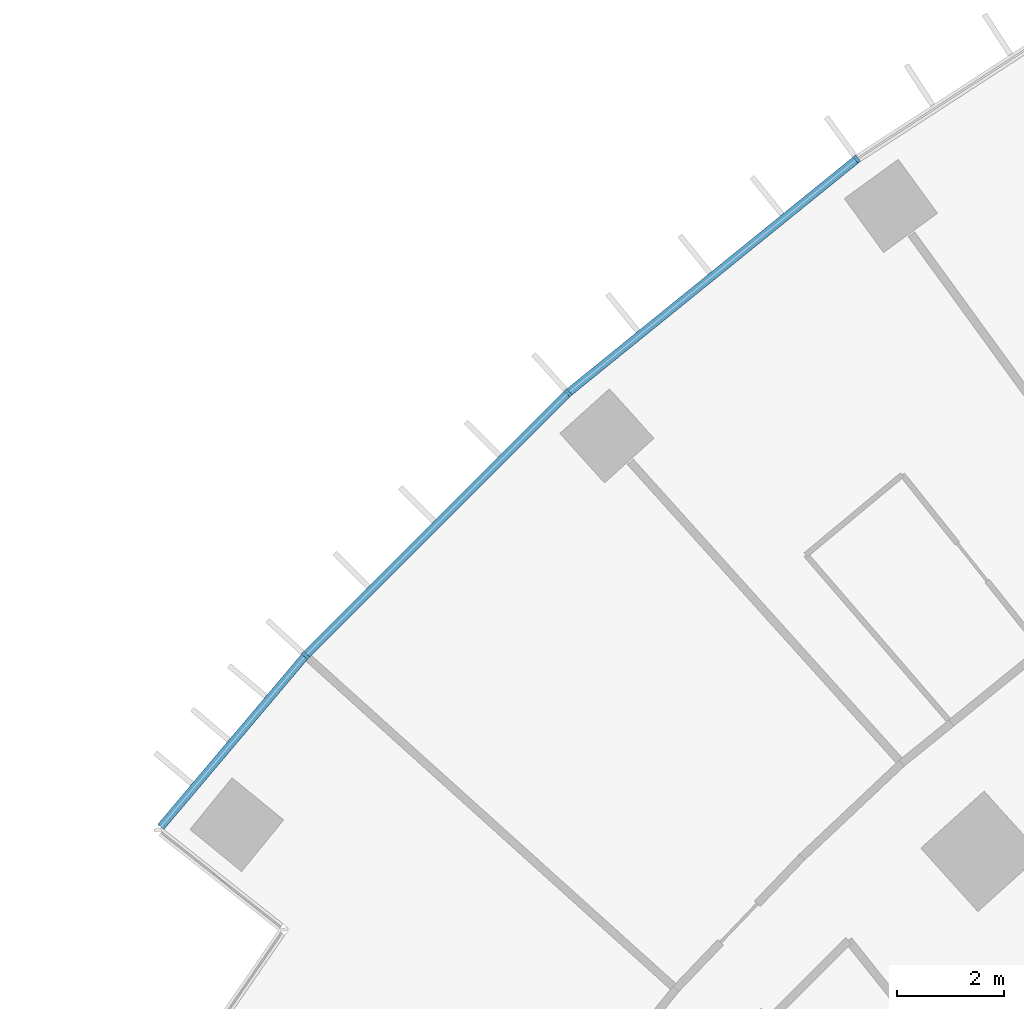
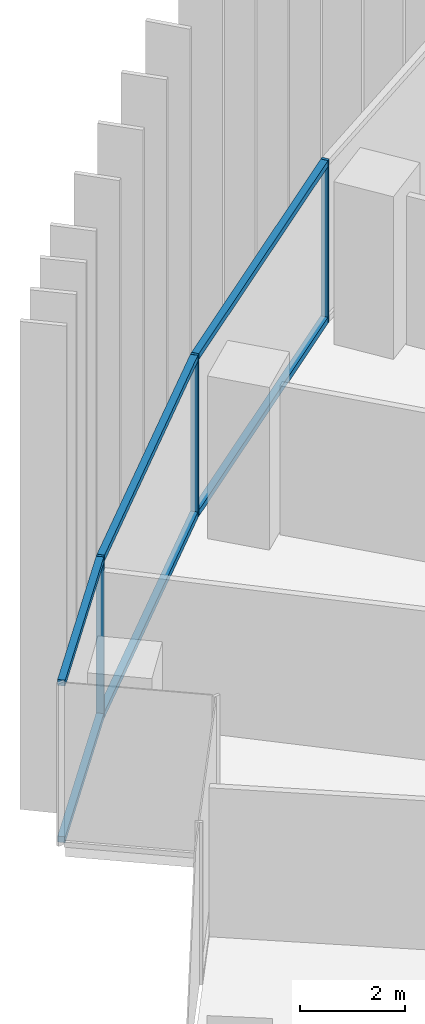
# One storey, part 4 of 24: 9 members, 1 element without a shape of its own.
"""IFC4 building model written with IfcOpenShell, lengths in metres."""

from ifc_helpers import new_model, si_unit, direction, frame, origin, origin_2d, place, context, subcontext, project, spatial, rectangle, extrude, material, layer, layer_set, material_profile, profile_set, type_object, element, aggregate, save


model = new_model("IFC4")

# Units and contexts
model_context = context("Model", 3, precision=1e-05, world=origin(), true_north=direction((0.0, 1.0)))
body_context = subcontext(model_context, "Body", "Model", "MODEL_VIEW")
ifc_project = project(units=[si_unit("LENGTHUNIT", "METRE"), si_unit("AREAUNIT", "SQUARE_METRE"), si_unit("VOLUMEUNIT", "CUBIC_METRE"), si_unit("PLANEANGLEUNIT", "RADIAN"), si_unit("MASSUNIT", "GRAM", prefix="KILO")], contexts=[model_context])

# Site, building, storey
site_placement = place(None, origin())
site = spatial("IfcSite", under=ifc_project, at=site_placement, CompositionType="ELEMENT")
building_placement = place(site_placement, origin())
building = spatial("IfcBuilding", under=site, at=building_placement, Name="Stone Belt Terrace Tower", CompositionType="ELEMENT")
storey_placement = place(building_placement, frame((0.0, 0.0, 64.199951171875)))
storey = spatial("IfcBuildingStorey", under=building, at=storey_placement, Name="L15", CompositionType="ELEMENT", Elevation=64.199951171875)

# Curtain wall, members
ifc_material = material(Name="Aluminium 6063-T6 anodised frame", Category="aluminium")
ifc_layer = layer(ifc_material, 0.14990234375)
ifc_layer_set = layer_set([ifc_layer], Name="CW-A unitised convex-face curtain wall")
curtain_wall_type = type_object("IfcCurtainWallType", Name="CW-A unitised convex-face curtain wall", PredefinedType="NOTDEFINED", material=ifc_layer_set)
curtain_wall_placement = place(storey_placement, origin())
curtain_wall = element("IfcCurtainWall", 1, at=curtain_wall_placement, inside=storey, type_object=curtain_wall_type, Name="CW-A convex face L15", PredefinedType="NOTDEFINED")
ifc_material_profile_1 = material_profile(ifc_material, rectangle(XDim=0.14990234375, YDim=0.06005859375, at=origin_2d()), Name="Aluminium 6063-T6 60x150")
ifc_profile_set_1 = profile_set([ifc_material_profile_1], Name="Aluminium 6063-T6 anodised frame")
member_type_1 = type_object("IfcMemberType", Name="CW-A mullion 60 x 150", PredefinedType="MULLION", material=ifc_profile_set_1)
member_1_placement = place(storey_placement, frame((-39.1318359375, 53.8603515625, 0.0), z_axis=(0.0, 0.0, 1.0), x_axis=(0.587785252292, -0.809016994375, 0.0)))
member_1 = element("IfcMember", 2, at=member_1_placement, type_object=member_type_1, Name="CW-A mullion 15", PredefinedType="MULLION", context=body_context, shape_type="SweptSolid", body=[
    extrude(rectangle(XDim=0.14990234375, YDim=0.06005859375, at=origin_2d()), origin(), (0.0, 0.0, 1.0), 3.800048828125),
])
member_2_placement = place(storey_placement, frame((-44.54736328125, 49.474853515625, 0.0), z_axis=(0.0, 0.0, 1.0), x_axis=(0.669130606359, -0.743144825477, 0.0)))
member_2 = element("IfcMember", 3, at=member_2_placement, type_object=member_type_1, Name="CW-A mullion 16", PredefinedType="MULLION", context=body_context, shape_type="SweptSolid", body=[
    extrude(rectangle(XDim=0.14990234375, YDim=0.06005859375, at=origin_2d()), origin(), (0.0, 0.0, 1.0), 3.800048828125),
])
member_3_placement = place(storey_placement, frame((-49.474365234375, 44.548095703125, 0.0), z_axis=(0.0, 0.0, 1.0), x_axis=(0.73617076011, -0.676795842155, 0.0)))
member_3 = element("IfcMember", 4, at=member_3_placement, type_object=member_type_1, Name="CW-A mullion 17", PredefinedType="MULLION", context=body_context, shape_type="SweptSolid", body=[
    extrude(rectangle(XDim=0.14990234375, YDim=0.06005859375, at=origin_2d()), origin(), (0.0, 0.0, 1.0), 3.800048828125),
])
ifc_material_profile_2 = material_profile(ifc_material, rectangle(XDim=0.14990234375, YDim=0.139892578125, at=origin_2d()), Name="Aluminium 6063-T6 150x140")
ifc_profile_set_2 = profile_set([ifc_material_profile_2], Name="Aluminium 6063-T6 anodised frame")
member_type_2 = type_object("IfcMemberType", Name="CW-A transom 140 x 150", PredefinedType="USERDEFINED", material=ifc_profile_set_2)
member_4_placement = place(storey_placement, frame((-39.158203125, 53.839111328125, 0.070068359375), z_axis=(-0.777141048626, -0.629326457842, 0.0), x_axis=(0.629326457842, -0.777141048626, 0.0)))
member_4 = element("IfcMember", 5, at=member_4_placement, type_object=member_type_2, Name="CW-A transom 15.1", ObjectType="TRANSOM", PredefinedType="USERDEFINED", context=body_context, shape_type="SweptSolid", body=[
    extrude(rectangle(XDim=0.14990234375, YDim=0.139892578125, at=origin_2d()), origin(), (0.0, 0.0, 1.0), 6.900634765625),
])
member_5_placement = place(storey_placement, frame((-39.158203125, 53.839111328125, 3.72998046875), z_axis=(-0.777141048626, -0.629326457842, 0.0), x_axis=(0.629326457842, -0.777141048626, 0.0)))
member_5 = element("IfcMember", 6, at=member_5_placement, type_object=member_type_2, Name="CW-A transom 15.2", ObjectType="TRANSOM", PredefinedType="USERDEFINED", context=body_context, shape_type="SweptSolid", body=[
    extrude(rectangle(XDim=0.14990234375, YDim=0.139892578125, at=origin_2d()), origin(), (0.0, 0.0, 1.0), 6.900634765625),
])
member_6_placement = place(storey_placement, frame((-44.5712890625, 49.450927734375, 0.070068359375), z_axis=(-0.707106781187, -0.707106781187, 0.0), x_axis=(0.707106781187, -0.707106781187, 0.0)))
member_6 = element("IfcMember", 7, at=member_6_placement, type_object=member_type_2, Name="CW-A transom 16.1", ObjectType="TRANSOM", PredefinedType="USERDEFINED", context=body_context, shape_type="SweptSolid", body=[
    extrude(rectangle(XDim=0.14990234375, YDim=0.139892578125, at=origin_2d()), origin(), (0.0, 0.0, 1.0), 6.90087890625),
])
member_7_placement = place(storey_placement, frame((-44.5712890625, 49.450927734375, 3.72998046875), z_axis=(-0.707106781187, -0.707106781187, 0.0), x_axis=(0.707106781187, -0.707106781187, 0.0)))
member_7 = element("IfcMember", 8, at=member_7_placement, type_object=member_type_2, Name="CW-A transom 16.2", ObjectType="TRANSOM", PredefinedType="USERDEFINED", context=body_context, shape_type="SweptSolid", body=[
    extrude(rectangle(XDim=0.14990234375, YDim=0.139892578125, at=origin_2d()), origin(), (0.0, 0.0, 1.0), 6.90087890625),
])
member_8_placement = place(storey_placement, frame((-49.495849609375, 44.522705078125, 0.070068359375), z_axis=(-0.645289935316, -0.763937758839, 0.0), x_axis=(0.763937758839, -0.645289935316, 0.0)))
member_8 = element("IfcMember", 9, at=member_8_placement, type_object=member_type_2, Name="CW-A transom 17.1", ObjectType="TRANSOM", PredefinedType="USERDEFINED", context=body_context, shape_type="SweptSolid", body=[
    extrude(rectangle(XDim=0.14990234375, YDim=0.139892578125, at=origin_2d()), origin(), (0.0, 0.0, 1.0), 4.17919921875),
])
member_9_placement = place(storey_placement, frame((-49.495849609375, 44.522705078125, 3.72998046875), z_axis=(-0.645289935316, -0.763937758839, 0.0), x_axis=(0.763937758839, -0.645289935316, 0.0)))
member_9 = element("IfcMember", 10, at=member_9_placement, type_object=member_type_2, Name="CW-A transom 17.2", ObjectType="TRANSOM", PredefinedType="USERDEFINED", context=body_context, shape_type="SweptSolid", body=[
    extrude(rectangle(XDim=0.14990234375, YDim=0.139892578125, at=origin_2d()), origin(), (0.0, 0.0, 1.0), 4.17919921875),
])
aggregate(curtain_wall, [member_1, member_2, member_3, member_4, member_5, member_6, member_7, member_8, member_9])

save(model, "model.ifc")
